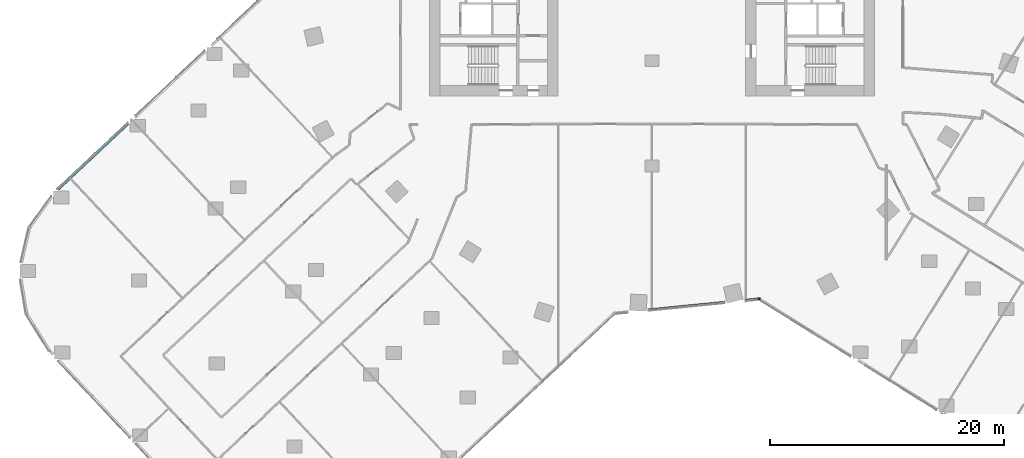
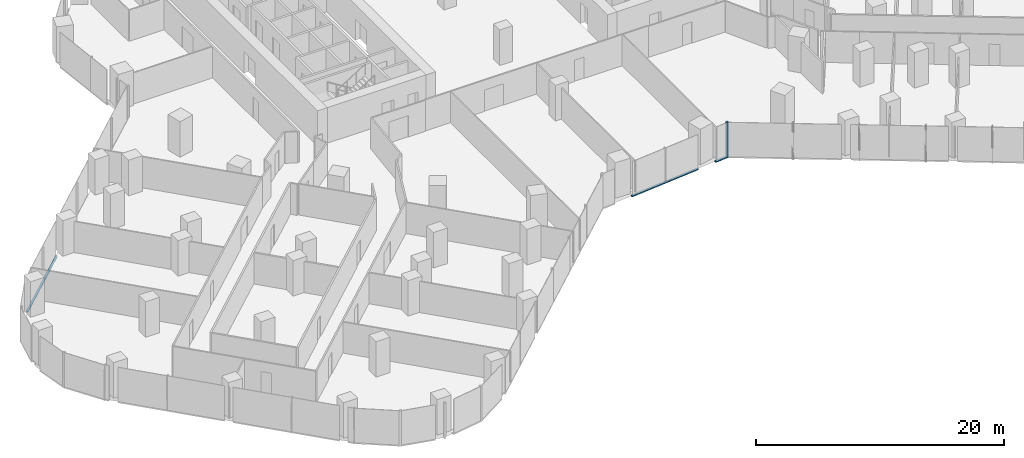
# One storey, part 5 of 34: 4 members, 2 elements without a shape of their own.
"""IFC4 building model written with IfcOpenShell, lengths in metres."""

import ifcopenshell
import ifcopenshell.guid

model = None  # the IFC model being written
_history = None  # IfcOwnerHistory: only IFC2X3 demands one
_inside = {}  # id of a spatial element -> (the spatial element, [elements in it])
_under = {}  # id of a project, library or spatial element -> (it, [spatial elements below it])
_declared = {}  # id of a project -> (the project, [libraries it declares])
_typed = {}  # id of a type object -> (the type object, [elements of that type])
_made_of = {}  # id of a material, layer set ... -> (it, [elements and type objects made of it])


def new_model(schema):
    """Start an empty IFC model of exactly this schema.

    Asked for "IFC4X3", IfcOpenShell would pick the latest addendum, in which some entities
    have other attributes; the version numbers below select the first issue.
    IFC2X3 requires an IfcOwnerHistory on every rooted entity: one is made here for all.
    """
    global model, _history
    if schema == "IFC4X3":
        model = ifcopenshell.file(schema_version=(4, 3, 0, 0))
    else:
        model = ifcopenshell.file(schema=schema)
    _inside.clear()
    _under.clear()
    _declared.clear()
    _typed.clear()
    _made_of.clear()
    _history = None
    if model.schema == "IFC2X3":
        org = make("IfcOrganization", Name="unknown")
        user = make(
            "IfcPersonAndOrganization",
            ThePerson=make("IfcPerson", FamilyName="unknown"),
            TheOrganization=org,
        )
        app = make(
            "IfcApplication",
            ApplicationDeveloper=org,
            Version="unknown",
            ApplicationFullName="unknown",
            ApplicationIdentifier="unknown",
        )
        _history = make(
            "IfcOwnerHistory",
            OwningUser=user,
            OwningApplication=app,
            ChangeAction="ADDED",
            CreationDate=0,
        )
    return model


def make(cls, **values):
    """One entity of the class cls with the attributes given. An attribute that is None is left unset."""
    return model.create_entity(
        cls, **{name: value for name, value in values.items() if value is not None}
    )


def rooted(cls, **values):
    """An entity with a GlobalId (a new one), such as an element, a storey or a relation."""
    return make(cls, GlobalId=ifcopenshell.guid.new(), OwnerHistory=_history, **values)


def si_unit(unit_type, name, prefix=None):
    """IfcSIUnit, for example si_unit("LENGTHUNIT", "METRE", prefix="MILLI")."""
    return make("IfcSIUnit", UnitType=unit_type, Prefix=prefix, Name=name)


def assignment(units):
    """IfcUnitAssignment: the units of a project."""
    return None if units is None else make("IfcUnitAssignment", Units=units)


def point(xyz):
    """IfcCartesianPoint."""
    return None if xyz is None else make("IfcCartesianPoint", Coordinates=xyz)


def direction(xyz):
    """IfcDirection."""
    return None if xyz is None else make("IfcDirection", DirectionRatios=xyz)


def frame(location, z_axis=None, x_axis=None):
    """IfcAxis2Placement3D, a coordinate frame: its origin and axes. An axis left out is left unset."""
    return make(
        "IfcAxis2Placement3D",
        Location=point(location),
        Axis=direction(z_axis),
        RefDirection=direction(x_axis),
    )


def frame_2d(location, x_axis=None):
    """IfcAxis2Placement2D, a coordinate frame in the plane: its origin and x axis."""
    return make(
        "IfcAxis2Placement2D", Location=point(location), RefDirection=direction(x_axis)
    )


def origin():
    """The frame at (0, 0, 0) with its axes left unset."""
    return frame((0.0, 0.0, 0.0))


def origin_2d():
    """The frame at (0, 0) in the plane with its x axis left unset."""
    return frame_2d((0.0, 0.0))


def place(relative_to, where):
    """IfcLocalPlacement: puts the frame where relative to a parent placement (None: the world)."""
    return make(
        "IfcLocalPlacement", PlacementRelTo=relative_to, RelativePlacement=where
    )


def context(
    kind, dimensions, precision=None, world=None, true_north=None, identifier=None
):
    """IfcGeometricRepresentationContext, for example the 3D "Model" context."""
    return make(
        "IfcGeometricRepresentationContext",
        ContextIdentifier=identifier,
        ContextType=kind,
        CoordinateSpaceDimension=dimensions,
        Precision=precision,
        WorldCoordinateSystem=world,
        TrueNorth=true_north,
    )


def subcontext(parent, identifier, kind, view, scale=None):
    """IfcGeometricRepresentationSubContext, for example "Body" below "Model"."""
    return make(
        "IfcGeometricRepresentationSubContext",
        ContextIdentifier=identifier,
        ContextType=kind,
        ParentContext=parent,
        TargetScale=scale,
        TargetView=view,
    )


def project(units=None, contexts=None):
    """IfcProject with its units and contexts."""
    return rooted(
        "IfcProject",
        Name="project",
        RepresentationContexts=contexts,
        UnitsInContext=assignment(units),
    )


def spatial(cls, under=None, at=None, **own):
    """A site, building, storey or space (cls), placed at a placement, below another one or the project."""
    s = rooted(cls, ObjectPlacement=at, **own)
    if under is not None:
        _under.setdefault(under.id(), (under, []))[1].append(s)
    return s


def profile(cls, at=None, kind="AREA", **sizes):
    """A parametric profile (cls). Its sizes go by their IFC names, for example OverallWidth=200.0."""
    return make(cls, ProfileType=kind, Position=at, **sizes)


def rectangle(**sizes):
    """IfcRectangleProfileDef."""
    return profile("IfcRectangleProfileDef", **sizes)


def extrude(swept, where, along, depth):
    """IfcExtrudedAreaSolid: the profile swept, set in the frame where, extruded along a direction by depth."""
    return make(
        "IfcExtrudedAreaSolid",
        SweptArea=swept,
        Position=where,
        ExtrudedDirection=direction(along),
        Depth=depth,
    )


def shape(context_of_items, identifier, shape_type, items):
    """IfcShapeRepresentation: the items that make up one representation, for example the "Body"."""
    return make(
        "IfcShapeRepresentation",
        ContextOfItems=context_of_items,
        RepresentationIdentifier=identifier,
        RepresentationType=shape_type,
        Items=items,
    )


def material(Name=None, Category=None):
    """IfcMaterial."""
    return make("IfcMaterial", Name=Name, Category=Category)


def material_profile(
    of_material, cross_section, Name=None, Category=None, Priority=None
):
    """IfcMaterialProfile: a cross section and its material."""
    return make(
        "IfcMaterialProfile",
        Name=Name,
        Material=of_material,
        Profile=cross_section,
        Priority=Priority,
        Category=Category,
    )


def profile_set(profiles, Name=None, composite=None):
    """IfcMaterialProfileSet."""
    return make(
        "IfcMaterialProfileSet",
        Name=Name,
        MaterialProfiles=profiles,
        CompositeProfile=composite,
    )


def made_of(thing, what):
    """Note that an element or type object is made of a material, layer set ...; save() writes the relation."""
    if what is not None:
        _made_of.setdefault(what.id(), (what, []))[1].append(thing)
    return thing


def type_object(cls, material=None, **own):
    """A type object (cls), such as IfcWallType, which elements share."""
    return made_of(rooted(cls, **own), material)


def element(
    cls,
    number,
    at=None,
    inside=None,
    cuts=None,
    type_object=None,
    material=None,
    context=None,
    identifier="Body",
    shape_type=None,
    held_by="IfcProductDefinitionShape",
    body=None,
    shapes=None,
    **own,
):
    """One element of the class cls, such as IfcWall. Its Tag is "e" and its number.

    at: its placement. inside: the storey or other place that contains it. cuts: it is an
    opening in that element (IfcRelVoidsElement). A single representation is given by context,
    identifier, shape_type and body (its items); several are given by shapes. held_by: the class
    of the entity that holds the representations. save() writes the other relations.
    """
    e = rooted(cls, Tag="e%d" % number, ObjectPlacement=at, **own)
    if body is not None:
        shapes = [shape(context, identifier, shape_type, body)]
    if shapes is not None:
        e.Representation = make(held_by, Representations=shapes)
    if inside is not None:
        _inside.setdefault(inside.id(), (inside, []))[1].append(e)
    if cuts is not None:
        rooted(
            "IfcRelVoidsElement", RelatingBuildingElement=cuts, RelatedOpeningElement=e
        )
    if type_object is not None:
        _typed.setdefault(type_object.id(), (type_object, []))[1].append(e)
    return made_of(e, material)


def aggregate(whole, parts):
    """IfcRelAggregates: a whole, such as a stair, and the parts it consists of."""
    return rooted("IfcRelAggregates", RelatingObject=whole, RelatedObjects=parts)


def save(model, path):
    """Write the relations noted so far, then the file.

    IfcRelAggregates (storeys below a building ...), IfcRelContainedInSpatialStructure (elements
    in a storey), IfcRelDefinesByType, IfcRelAssociatesMaterial and IfcRelDeclares: one each for
    every whole, place, type object, material and project.
    """
    for whole, parts in _under.values():
        aggregate(whole, parts)
    for where, things in _inside.values():
        rooted(
            "IfcRelContainedInSpatialStructure",
            RelatedElements=things,
            RelatingStructure=where,
        )
    for kind, things in _typed.values():
        rooted("IfcRelDefinesByType", RelatedObjects=things, RelatingType=kind)
    for what, things in _made_of.values():
        rooted("IfcRelAssociatesMaterial", RelatedObjects=things, RelatingMaterial=what)
    for by, libraries in _declared.values():
        rooted("IfcRelDeclares", RelatingContext=by, RelatedDefinitions=libraries)
    model.write(path)


model = new_model("IFC4")

# Units and contexts
model_context = context("Model", 3, precision=1e-05, world=origin(), true_north=direction((0.0, 1.0)))
body_context = subcontext(model_context, "Body", "Model", "MODEL_VIEW")
ifc_project = project(units=[si_unit("LENGTHUNIT", "METRE"), si_unit("AREAUNIT", "SQUARE_METRE"), si_unit("VOLUMEUNIT", "CUBIC_METRE"), si_unit("PLANEANGLEUNIT", "RADIAN"), si_unit("MASSUNIT", "GRAM", prefix="KILO")], contexts=[model_context])

# Site, building, storey
site_placement = place(None, origin())
site = spatial("IfcSite", under=ifc_project, at=site_placement, CompositionType="ELEMENT")
building_placement = place(site_placement, origin())
building = spatial("IfcBuilding", under=site, at=building_placement, Name="Orlundy Tower", CompositionType="ELEMENT")
storey_placement = place(building_placement, frame((0.0, 0.0, 47.800048828125)))
storey = spatial("IfcBuildingStorey", under=building, at=storey_placement, Name="L10", CompositionType="ELEMENT", Elevation=47.800048828125)

# Curtain wall, member
ifc_material_1 = material(Name="Aluminium bronze anodised", Category="aluminium")
curtain_wall_type = type_object("IfcCurtainWallType", Name="CW1 wall", PredefinedType="NOTDEFINED", material=ifc_material_1)
curtain_wall_1_placement = place(storey_placement, origin())
curtain_wall_1 = element("IfcCurtainWall", 1, at=curtain_wall_1_placement, inside=storey, type_object=curtain_wall_type, Name="CW1 run 017", PredefinedType="NOTDEFINED")
ifc_material_2 = material(Name="Aluminium bronze anodised", Category="aluminium")
ifc_material_profile_1 = material_profile(ifc_material_2, rectangle(XDim=0.179931640625, YDim=0.179931640625, at=origin_2d()), Name="CW1 corner post 180x180")
ifc_profile_set_1 = profile_set([ifc_material_profile_1], Name="Aluminium bronze anodised")
member_type_1 = type_object("IfcMemberType", Name="CW1 corner post 180x180", PredefinedType="MULLION", material=ifc_profile_set_1)
member_1_placement = place(storey_placement, frame((9.153564453125, -29.32958984375, -0.420166015625), z_axis=(0.0, 0.0, 1.0), x_axis=(0.098750373279, -0.995112236774, 0.0)))
member_1 = element("IfcMember", 2, at=member_1_placement, type_object=member_type_1, Name="CW1 mullion 49", PredefinedType="MULLION", context=body_context, shape_type="SweptSolid", body=[
    extrude(rectangle(XDim=0.179931640625, YDim=0.179931640625, at=origin_2d()), origin(), (0.0, 0.0, 1.0), 3.5),
])

curtain_wall_2_placement = place(storey_placement, origin())
curtain_wall_2 = element("IfcCurtainWall", 3, at=curtain_wall_2_placement, inside=storey, type_object=curtain_wall_type, Name="CW1 run 00", PredefinedType="NOTDEFINED")
ifc_material_3 = material(Name="Aluminium bronze anodised", Category="aluminium")
ifc_material_profile_2 = material_profile(ifc_material_3, rectangle(XDim=0.179931640625, YDim=0.1201171875, at=origin_2d()), Name="CW1 transom 180x120")
ifc_profile_set_2 = profile_set([ifc_material_profile_2], Name="Aluminium bronze anodised")
member_type_2 = type_object("IfcMemberType", Name="CW1 transom 180x120", PredefinedType="USERDEFINED", material=ifc_profile_set_2)
member_2_placement = place(storey_placement, frame((-50.68310546875, -19.9951171875, -0.360107421875), z_axis=(0.729351221798, 0.684139456005, 0.0), x_axis=(-0.684139456005, 0.729351221798, 0.0)))
member_2 = element("IfcMember", 4, at=member_2_placement, type_object=member_type_2, Name="CW1 transom", ObjectType="TRANSOM", PredefinedType="USERDEFINED", context=body_context, shape_type="SweptSolid", body=[
    extrude(rectangle(XDim=0.179931640625, YDim=0.1201171875, at=origin_2d()), origin(), (0.0, 0.0, 1.0), 8.2294921875),
])
aggregate(curtain_wall_2, [member_2])

# Member
member_3_placement = place(storey_placement, frame((9.06396484375, -29.33837890625, -0.360107421875), z_axis=(-0.995095778729, -0.098916081385, 0.0), x_axis=(0.098916081385, -0.995095778729, 0.0)))
member_3 = element("IfcMember", 5, at=member_3_placement, type_object=member_type_2, Name="CW1 transom", ObjectType="TRANSOM", PredefinedType="USERDEFINED", context=body_context, shape_type="SweptSolid", body=[
    extrude(rectangle(XDim=0.179931640625, YDim=0.1201171875, at=origin_2d()), origin(), (0.0, 0.0, 1.0), 1.110595703125),
])

member_4_placement = place(storey_placement, frame((6.2509765625, -29.61767578125, -0.360107421875), z_axis=(-0.995113533405, -0.098737306191, 0.0), x_axis=(0.098737306191, -0.995113533405, 0.0)))
member_4 = element("IfcMember", 6, at=member_4_placement, type_object=member_type_2, Name="CW1 transom", ObjectType="TRANSOM", PredefinedType="USERDEFINED", context=body_context, shape_type="SweptSolid", body=[
    extrude(rectangle(XDim=0.179931640625, YDim=0.1201171875, at=origin_2d()), origin(), (0.0, 0.0, 1.0), 6.592041015625),
])

aggregate(curtain_wall_1, [member_1, member_3, member_4])

save(model, "model.ifc")
